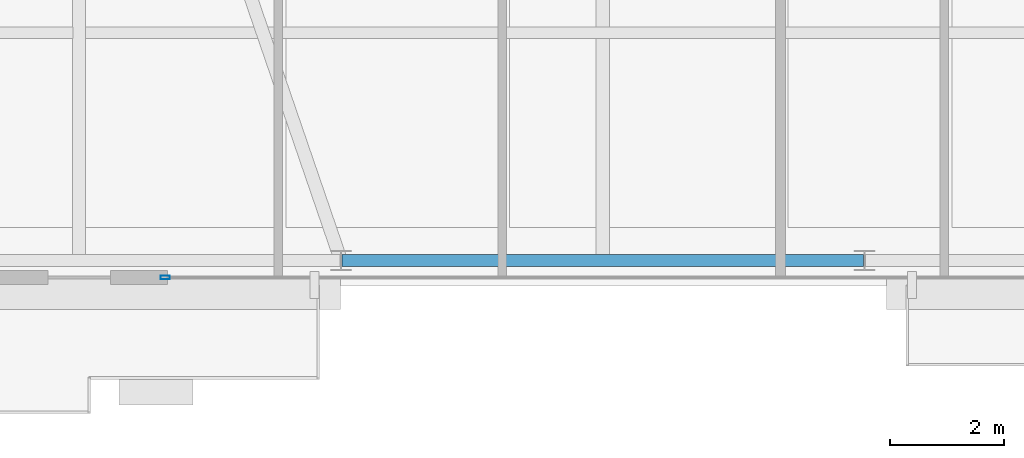
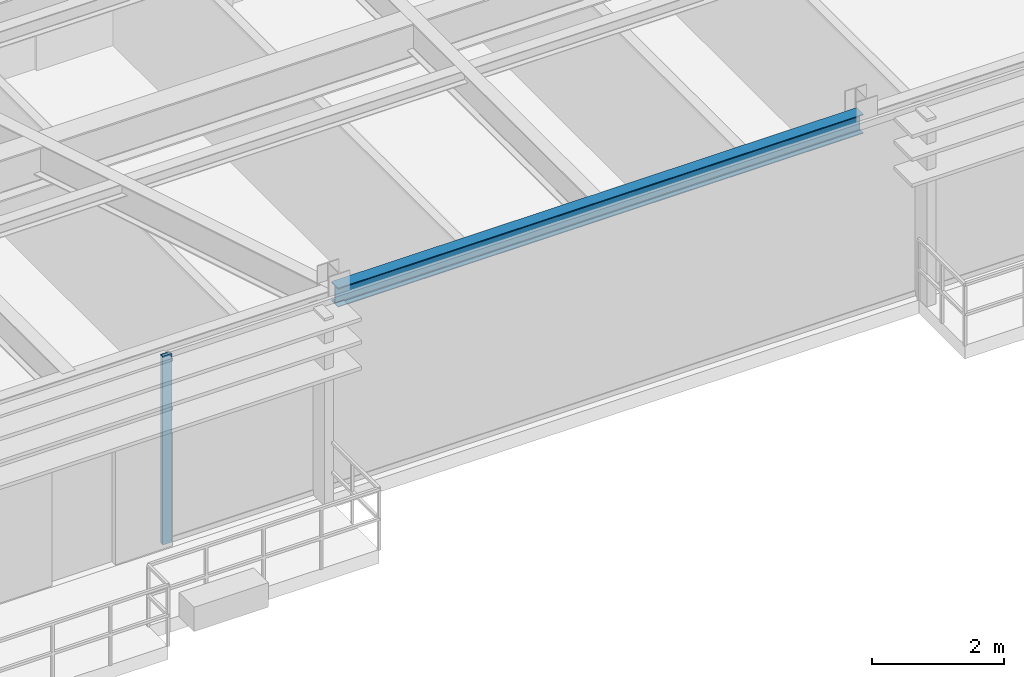
# One storey, part 8 of 28: 1 beam, 1 member, 1 element without a shape of its own.
"""IFC4 building model written with IfcOpenShell, lengths in metres."""

from ifc_helpers import new_model, si_unit, direction, frame, origin, origin_2d, place, context, subcontext, project, spatial, hollow_rectangle, i_section, extrude, source, transform, mapped, material, layer, layer_set, material_profile, profile_set, type_object, type_shapes, element, aggregate, save


model = new_model("IFC4")

# Units and contexts
model_context = context("Model", 3, precision=1e-05, world=origin(), true_north=direction((0.0, 1.0)))
body_context = subcontext(model_context, "Body", "Model", "MODEL_VIEW")
ifc_project = project(units=[si_unit("LENGTHUNIT", "METRE"), si_unit("AREAUNIT", "SQUARE_METRE"), si_unit("VOLUMEUNIT", "CUBIC_METRE"), si_unit("PLANEANGLEUNIT", "RADIAN"), si_unit("MASSUNIT", "GRAM", prefix="KILO")], contexts=[model_context])

# Site, building, storey
site_placement = place(None, origin())
site = spatial("IfcSite", under=ifc_project, at=site_placement, CompositionType="ELEMENT")
building_placement = place(site_placement, origin())
building = spatial("IfcBuilding", under=site, at=building_placement, Name="Varnel Quay Broadcast Tower", CompositionType="ELEMENT")
storey_placement = place(building_placement, frame((0.0, 0.0, 230.199951171875)))
storey = spatial("IfcBuildingStorey", under=building, at=storey_placement, Name="L57", CompositionType="ELEMENT", Elevation=230.199951171875)

# Beam
ifc_material_1 = material(Name="Structural Steel CSA G40.21 350W", Category="steel")
ifc_material_profile_1 = material_profile(ifc_material_1, i_section(OverallWidth=0.205078125, OverallDepth=0.35400390625, WebThickness=0.009521484375, FlangeThickness=0.016845703125, FilletRadius=0.012939453125, at=origin_2d()), Name="W360X79")
ifc_profile_set_1 = profile_set([ifc_material_profile_1], Name="Structural Steel CSA G40.21 350W")
beam_type = type_object("IfcBeamType", Name="Beam_W360X79", PredefinedType="SPANDREL", material=ifc_profile_set_1)
shared_shape_1 = source(origin(), body_context, "Body", "SweptSolid", [
    extrude(i_section(OverallWidth=0.205078125, OverallDepth=0.35400390625, WebThickness=0.009521484375, FlangeThickness=0.016845703125, FilletRadius=0.012939453125, at=origin_2d()), origin(), (0.0, 0.0, 1.0), 9.16015625),
])
type_shapes(beam_type, [shared_shape_1])
beam_placement = place(storey_placement, frame((29.419921875, 10.64990234375, 3.302978515625), z_axis=(1.0, 0.0, 0.0), x_axis=(0.0, 1.0, 0.0)))
element("IfcBeam", 1, at=beam_placement, inside=storey, type_object=beam_type, Name="L57 South Spandrel TC-S2-TC-S3", PredefinedType="SPANDREL", context=body_context, shape_type="MappedRepresentation", body=[
    mapped(shared_shape_1, transform((0.0, 0.0, 0.0), x_axis=(1.0, 0.0, 0.0), y_axis=(0.0, 1.0, 0.0), z_axis=(0.0, 0.0, 1.0), scale=1.0)),
])

# Curtain wall, member
ifc_material_2 = material(Name="Anodised Bronze Aluminium 6063-T6", Category="aluminium")
ifc_layer = layer(ifc_material_2, 0.18994140625, Name="Anodised Bronze Aluminium 6063-T6")
ifc_layer_set = layer_set([ifc_layer], Name="Anodised Bronze Aluminium 6063-T6")
curtain_wall_type = type_object("IfcCurtainWallType", Name="CW_UpperTower", PredefinedType="NOTDEFINED", material=ifc_layer_set)
curtain_wall_placement = place(storey_placement, origin())
curtain_wall = element("IfcCurtainWall", 2, at=curtain_wall_placement, inside=storey, type_object=curtain_wall_type, Name="L57 South Unitised Curtain Wall 2", PredefinedType="NOTDEFINED")
ifc_material_profile_2 = material_profile(ifc_material_2, hollow_rectangle(XDim=0.06494140625, YDim=0.1650390625, WallThickness=0.00341796875, at=origin_2d()), Name="ALU65X165X3.5")
ifc_profile_set_2 = profile_set([ifc_material_profile_2], Name="Anodised Bronze Aluminium 6063-T6")
member_type = type_object("IfcMemberType", Name="Mull_CWS-03", PredefinedType="MULLION", material=ifc_profile_set_2)
shared_shape_2 = source(origin(), body_context, "Body", "SweptSolid", [
    extrude(hollow_rectangle(XDim=0.06494140625, YDim=0.1650390625, WallThickness=0.00341796875, at=origin_2d()), origin(), (0.0, 0.0, 1.0), 3.47998046875),
])
type_shapes(member_type, [shared_shape_2])
member_placement = place(storey_placement, frame((26.3125, 10.35009765625, 0.0), z_axis=(0.0, 0.0, 1.0), x_axis=(0.0, 1.0, 0.0)))
member = element("IfcMember", 3, at=member_placement, type_object=member_type, Name="CWS-03 mullion 1", PredefinedType="MULLION", context=body_context, shape_type="MappedRepresentation", body=[
    mapped(shared_shape_2, transform((0.0, 0.0, 0.0), x_axis=(1.0, 0.0, 0.0), y_axis=(0.0, 1.0, 0.0), z_axis=(0.0, 0.0, 1.0), scale=1.0)),
])
aggregate(curtain_wall, [member])

save(model, "model.ifc")
